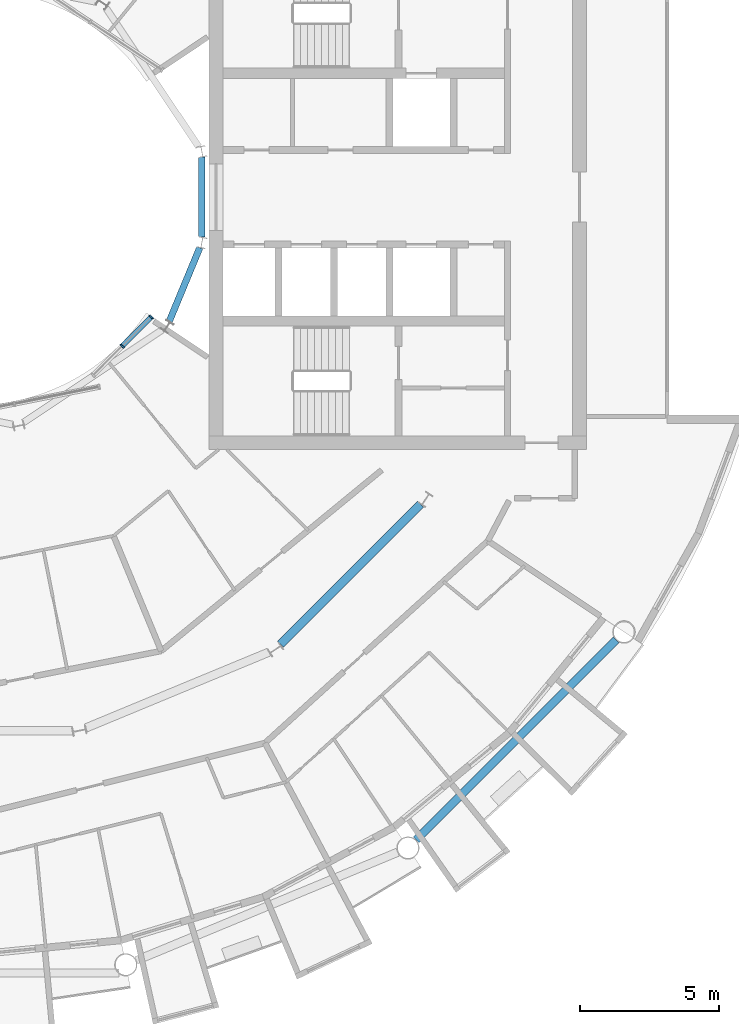
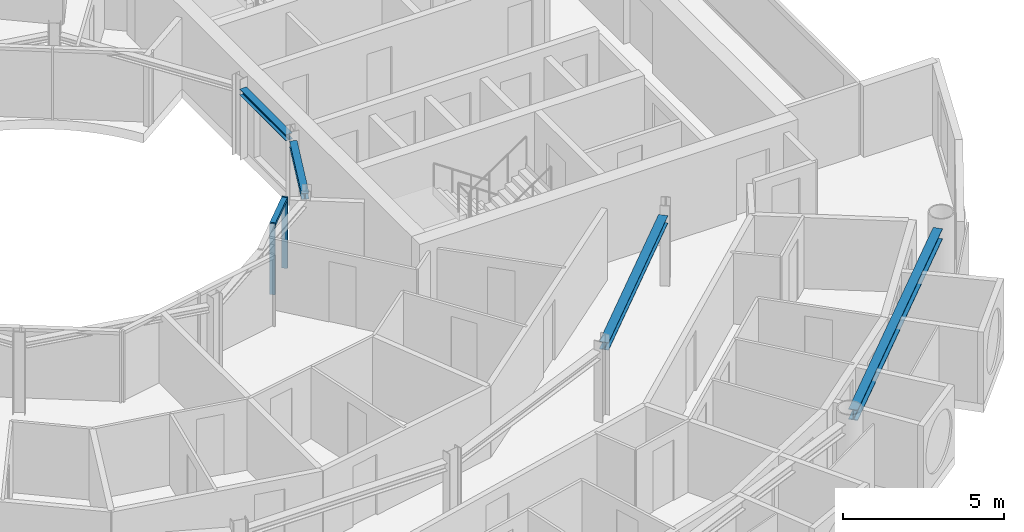
# One storey, part 7 of 26: 4 beams, 3 members, 1 element without a shape of its own.
"""IFC4 building model written with IfcOpenShell, lengths in metres."""

from ifc_helpers import new_model, si_unit, direction, frame, origin, origin_2d, place, context, subcontext, project, spatial, rectangle, i_section, extrude, material, layer, layer_set, material_profile, profile_set, type_object, element, aggregate, save


model = new_model("IFC4")

# Units and contexts
model_context = context("Model", 3, precision=1e-05, world=origin(), true_north=direction((0.0, 1.0)))
body_context = subcontext(model_context, "Body", "Model", "MODEL_VIEW")
ifc_project = project(units=[si_unit("LENGTHUNIT", "METRE"), si_unit("AREAUNIT", "SQUARE_METRE"), si_unit("VOLUMEUNIT", "CUBIC_METRE"), si_unit("PLANEANGLEUNIT", "RADIAN"), si_unit("MASSUNIT", "GRAM", prefix="KILO")], contexts=[model_context])

# Site, building, storey
site_placement = place(None, origin())
site = spatial("IfcSite", under=ifc_project, at=site_placement, CompositionType="ELEMENT")
building_placement = place(site_placement, origin())
building = spatial("IfcBuilding", under=site, at=building_placement, Name="Maasbend Ring Residences", CompositionType="ELEMENT")
storey_placement = place(building_placement, frame((0.0, 0.0, 161.60009765625)))
storey = spatial("IfcBuildingStorey", under=building, at=storey_placement, Name="L46", CompositionType="ELEMENT", Elevation=161.60009765625)

# Curtain wall, members
ifc_material_1 = material(Name="Aluminium and clear glass", Category="aluminium")
ifc_layer = layer(ifc_material_1, 0.179931640625)
ifc_layer_set = layer_set([ifc_layer], Name="CW-W")
curtain_wall_type = type_object("IfcCurtainWallType", Name="CW-W", PredefinedType="NOTDEFINED", material=ifc_layer_set)
curtain_wall_placement = place(storey_placement, origin())
curtain_wall = element("IfcCurtainWall", 1, at=curtain_wall_placement, inside=storey, type_object=curtain_wall_type, Name="Well curtain wall S3", PredefinedType="NOTDEFINED")
ifc_material_2 = material(Name="Aluminium 6063-T6", Category="aluminium")
ifc_material_profile_1 = material_profile(ifc_material_2, rectangle(XDim=0.179931640625, YDim=0.06005859375, at=origin_2d()), Name="AL 180x60")
ifc_profile_set_1 = profile_set([ifc_material_profile_1], Name="Aluminium 6063-T6")
member_type_1 = type_object("IfcMemberType", Name="CWM-W", PredefinedType="MULLION", material=ifc_profile_set_1)
member_1_placement = place(storey_placement, frame((5.366943359375, -5.366943359375, 0.0), z_axis=(0.0, 0.0, 1.0), x_axis=(-0.707106781187, 0.707106781187, 0.0)))
member_1 = element("IfcMember", 2, at=member_1_placement, type_object=member_type_1, Name="Mullion well face", PredefinedType="MULLION", context=body_context, shape_type="SweptSolid", body=[
    extrude(rectangle(XDim=0.179931640625, YDim=0.06005859375, at=origin_2d()), origin(), (0.0, 0.0, 1.0), 2.699951171875),
])
member_2_placement = place(storey_placement, frame((6.413330078125, -4.320556640625, 0.0), z_axis=(0.0, 0.0, 1.0), x_axis=(-0.707106781187, 0.707106781187, 0.0)))
member_2 = element("IfcMember", 3, at=member_2_placement, type_object=member_type_1, Name="Mullion well face", PredefinedType="MULLION", context=body_context, shape_type="SweptSolid", body=[
    extrude(rectangle(XDim=0.179931640625, YDim=0.06005859375, at=origin_2d()), origin(), (0.0, 0.0, 1.0), 2.699951171875),
])
ifc_material_3 = material(Name="Aluminium 6063-T6", Category="aluminium")
ifc_material_profile_2 = material_profile(ifc_material_3, rectangle(XDim=0.179931640625, YDim=0.1201171875, at=origin_2d()), Name="AL 180x120")
ifc_profile_set_2 = profile_set([ifc_material_profile_2], Name="Aluminium 6063-T6")
member_type_2 = type_object("IfcMemberType", Name="CWT-W", PredefinedType="USERDEFINED", material=ifc_profile_set_2)
member_3_placement = place(storey_placement, frame((5.38818359375, -5.345703125, 2.639892578125), z_axis=(0.707106781187, 0.707106781187, 0.0), x_axis=(-0.707106781187, 0.707106781187, 0.0)))
member_3 = element("IfcMember", 4, at=member_3_placement, type_object=member_type_2, Name="Transom well face", ObjectType="TRANSOM", PredefinedType="USERDEFINED", context=body_context, shape_type="SweptSolid", body=[
    extrude(rectangle(XDim=0.179931640625, YDim=0.1201171875, at=origin_2d()), origin(), (0.0, 0.0, 1.0), 1.419677734375),
])
aggregate(curtain_wall, [member_1, member_2, member_3])

# Beams
ifc_material_4 = material(Name="Steel S355J2", Category="steel")
ifc_material_profile_3 = material_profile(ifc_material_4, i_section(OverallWidth=0.300048828125, OverallDepth=0.2900390625, WebThickness=0.008544921875, FlangeThickness=0.013916015625, FilletRadius=0.027099609375, at=origin_2d()), Name="HEA 300")
ifc_profile_set_3 = profile_set([ifc_material_profile_3], Name="Steel S355J2")
beam_type_1 = type_object("IfcBeamType", Name="Corridor ring beam HEA 300", PredefinedType="BEAM", material=ifc_profile_set_3)
beam_1_placement = place(storey_placement, frame((11.0693359375, -16.11669921875, 2.554931640625), z_axis=(0.707106781187, 0.707106781187, 0.0), x_axis=(-0.707106781187, 0.707106781187, 0.0)))
element("IfcBeam", 5, at=beam_1_placement, inside=storey, type_object=beam_type_1, Name="Corridor ring beam", PredefinedType="BEAM", context=body_context, shape_type="SweptSolid", body=[
    extrude(i_section(OverallWidth=0.300048828125, OverallDepth=0.2900390625, WebThickness=0.008544921875, FlangeThickness=0.013916015625, FilletRadius=0.027099609375, at=origin_2d()), origin(), (0.0, 0.0, 1.0), 7.137939453125),
])
ifc_material_5 = material(Name="Steel S355J2", Category="steel")
ifc_material_profile_4 = material_profile(ifc_material_5, i_section(OverallWidth=0.300048828125, OverallDepth=0.39990234375, WebThickness=0.013427734375, FlangeThickness=0.02392578125, FilletRadius=0.027099609375, at=origin_2d()), Name="HEB 400")
ifc_profile_set_4 = profile_set([ifc_material_profile_4], Name="Steel S355J2")
beam_type_2 = type_object("IfcBeamType", Name="Spandrel ring beam HEB 400", PredefinedType="SPANDREL", material=ifc_profile_set_4)
beam_2_placement = place(storey_placement, frame((15.95458984375, -23.159912109375, 2.5), z_axis=(0.707106781187, 0.707106781187, 0.0), x_axis=(-0.707106781187, 0.707106781187, 0.0)))
element("IfcBeam", 6, at=beam_2_placement, inside=storey, type_object=beam_type_2, Name="Spandrel ring beam", PredefinedType="SPANDREL", context=body_context, shape_type="SweptSolid", body=[
    extrude(i_section(OverallWidth=0.300048828125, OverallDepth=0.39990234375, WebThickness=0.013427734375, FlangeThickness=0.02392578125, FilletRadius=0.027099609375, at=origin_2d()), origin(), (0.0, 0.0, 1.0), 10.18994140625),
])
ifc_material_6 = material(Name="Steel S355J2", Category="steel")
ifc_material_profile_5 = material_profile(ifc_material_6, i_section(OverallWidth=0.239990234375, OverallDepth=0.22998046875, WebThickness=0.007568359375, FlangeThickness=0.011962890625, FilletRadius=0.02099609375, at=origin_2d()), Name="HEA 240")
ifc_profile_set_5 = profile_set([ifc_material_profile_5], Name="Steel S355J2")
beam_type_3 = type_object("IfcBeamType", Name="Well edge beam HEA 240", PredefinedType="BEAM", material=ifc_profile_set_5)
for number, where, z_axis, x_axis, name in (
    (7, (7.060302734375, -4.483154296875, 2.5849609375), (0.382748596828, 0.923852537814, 0.0), (-0.923852537814, 0.382748596828, 0.0), "Well edge beam"),
    (8, (8.238525390625, -1.43994140625, 2.5849609375), (0.0, 1.0, 0.0), (-1.0, 0.0, 0.0), "Well edge beam"),
):
    element("IfcBeam", number, at=place(storey_placement, frame(where, z_axis=z_axis, x_axis=x_axis)), inside=storey, type_object=beam_type_3, Name=name, PredefinedType="BEAM", context=body_context, shape_type="SweptSolid", body=[
        extrude(i_section(OverallWidth=0.239990234375, OverallDepth=0.22998046875, WebThickness=0.007568359375, FlangeThickness=0.011962890625, FilletRadius=0.02099609375, at=origin_2d()), origin(), (0.0, 0.0, 1.0), 2.8798828125),
    ])

save(model, "model.ifc")
